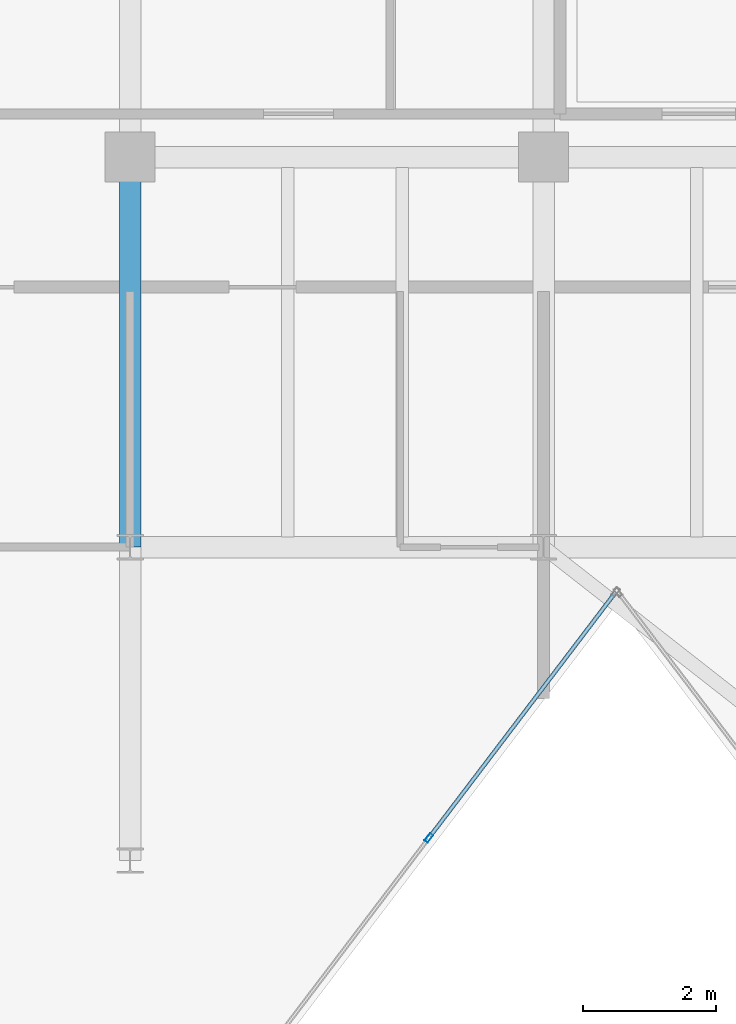
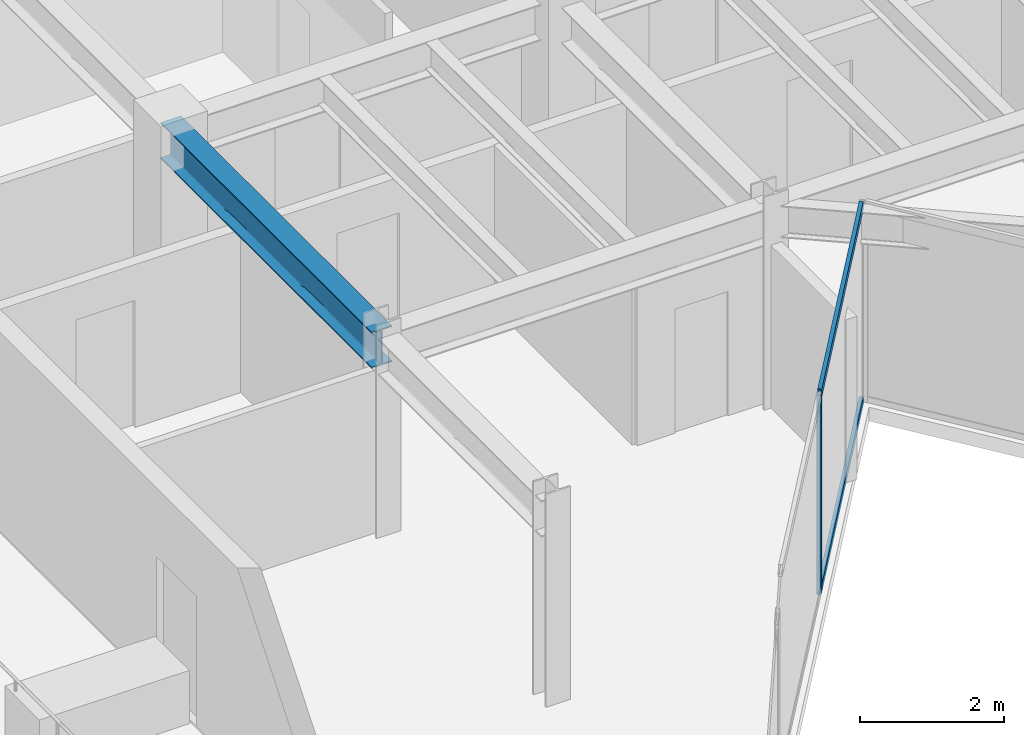
# One storey, part 3 of 16: 3 members, 1 beam, 1 element without a shape of its own.
"""IFC4 building model written with IfcOpenShell, lengths in metres."""

import ifcopenshell
import ifcopenshell.guid

model = None  # the IFC model being written
_history = None  # IfcOwnerHistory: only IFC2X3 demands one
_inside = {}  # id of a spatial element -> (the spatial element, [elements in it])
_under = {}  # id of a project, library or spatial element -> (it, [spatial elements below it])
_declared = {}  # id of a project -> (the project, [libraries it declares])
_typed = {}  # id of a type object -> (the type object, [elements of that type])
_made_of = {}  # id of a material, layer set ... -> (it, [elements and type objects made of it])


def new_model(schema):
    """Start an empty IFC model of exactly this schema.

    Asked for "IFC4X3", IfcOpenShell would pick the latest addendum, in which some entities
    have other attributes; the version numbers below select the first issue.
    IFC2X3 requires an IfcOwnerHistory on every rooted entity: one is made here for all.
    """
    global model, _history
    if schema == "IFC4X3":
        model = ifcopenshell.file(schema_version=(4, 3, 0, 0))
    else:
        model = ifcopenshell.file(schema=schema)
    _inside.clear()
    _under.clear()
    _declared.clear()
    _typed.clear()
    _made_of.clear()
    _history = None
    if model.schema == "IFC2X3":
        org = make("IfcOrganization", Name="unknown")
        user = make(
            "IfcPersonAndOrganization",
            ThePerson=make("IfcPerson", FamilyName="unknown"),
            TheOrganization=org,
        )
        app = make(
            "IfcApplication",
            ApplicationDeveloper=org,
            Version="unknown",
            ApplicationFullName="unknown",
            ApplicationIdentifier="unknown",
        )
        _history = make(
            "IfcOwnerHistory",
            OwningUser=user,
            OwningApplication=app,
            ChangeAction="ADDED",
            CreationDate=0,
        )
    return model


def make(cls, **values):
    """One entity of the class cls with the attributes given. An attribute that is None is left unset."""
    return model.create_entity(
        cls, **{name: value for name, value in values.items() if value is not None}
    )


def rooted(cls, **values):
    """An entity with a GlobalId (a new one), such as an element, a storey or a relation."""
    return make(cls, GlobalId=ifcopenshell.guid.new(), OwnerHistory=_history, **values)


def si_unit(unit_type, name, prefix=None):
    """IfcSIUnit, for example si_unit("LENGTHUNIT", "METRE", prefix="MILLI")."""
    return make("IfcSIUnit", UnitType=unit_type, Prefix=prefix, Name=name)


def assignment(units):
    """IfcUnitAssignment: the units of a project."""
    return None if units is None else make("IfcUnitAssignment", Units=units)


def point(xyz):
    """IfcCartesianPoint."""
    return None if xyz is None else make("IfcCartesianPoint", Coordinates=xyz)


def direction(xyz):
    """IfcDirection."""
    return None if xyz is None else make("IfcDirection", DirectionRatios=xyz)


def frame(location, z_axis=None, x_axis=None):
    """IfcAxis2Placement3D, a coordinate frame: its origin and axes. An axis left out is left unset."""
    return make(
        "IfcAxis2Placement3D",
        Location=point(location),
        Axis=direction(z_axis),
        RefDirection=direction(x_axis),
    )


def frame_2d(location, x_axis=None):
    """IfcAxis2Placement2D, a coordinate frame in the plane: its origin and x axis."""
    return make(
        "IfcAxis2Placement2D", Location=point(location), RefDirection=direction(x_axis)
    )


def origin():
    """The frame at (0, 0, 0) with its axes left unset."""
    return frame((0.0, 0.0, 0.0))


def origin_2d():
    """The frame at (0, 0) in the plane with its x axis left unset."""
    return frame_2d((0.0, 0.0))


def place(relative_to, where):
    """IfcLocalPlacement: puts the frame where relative to a parent placement (None: the world)."""
    return make(
        "IfcLocalPlacement", PlacementRelTo=relative_to, RelativePlacement=where
    )


def context(
    kind, dimensions, precision=None, world=None, true_north=None, identifier=None
):
    """IfcGeometricRepresentationContext, for example the 3D "Model" context."""
    return make(
        "IfcGeometricRepresentationContext",
        ContextIdentifier=identifier,
        ContextType=kind,
        CoordinateSpaceDimension=dimensions,
        Precision=precision,
        WorldCoordinateSystem=world,
        TrueNorth=true_north,
    )


def subcontext(parent, identifier, kind, view, scale=None):
    """IfcGeometricRepresentationSubContext, for example "Body" below "Model"."""
    return make(
        "IfcGeometricRepresentationSubContext",
        ContextIdentifier=identifier,
        ContextType=kind,
        ParentContext=parent,
        TargetScale=scale,
        TargetView=view,
    )


def project(units=None, contexts=None):
    """IfcProject with its units and contexts."""
    return rooted(
        "IfcProject",
        Name="project",
        RepresentationContexts=contexts,
        UnitsInContext=assignment(units),
    )


def spatial(cls, under=None, at=None, **own):
    """A site, building, storey or space (cls), placed at a placement, below another one or the project."""
    s = rooted(cls, ObjectPlacement=at, **own)
    if under is not None:
        _under.setdefault(under.id(), (under, []))[1].append(s)
    return s


def profile(cls, at=None, kind="AREA", **sizes):
    """A parametric profile (cls). Its sizes go by their IFC names, for example OverallWidth=200.0."""
    return make(cls, ProfileType=kind, Position=at, **sizes)


def hollow_rectangle(**sizes):
    """IfcRectangleHollowProfileDef."""
    return profile("IfcRectangleHollowProfileDef", **sizes)


def i_section(**sizes):
    """IfcIShapeProfileDef."""
    return profile("IfcIShapeProfileDef", **sizes)


def extrude(swept, where, along, depth):
    """IfcExtrudedAreaSolid: the profile swept, set in the frame where, extruded along a direction by depth."""
    return make(
        "IfcExtrudedAreaSolid",
        SweptArea=swept,
        Position=where,
        ExtrudedDirection=direction(along),
        Depth=depth,
    )


def shape(context_of_items, identifier, shape_type, items):
    """IfcShapeRepresentation: the items that make up one representation, for example the "Body"."""
    return make(
        "IfcShapeRepresentation",
        ContextOfItems=context_of_items,
        RepresentationIdentifier=identifier,
        RepresentationType=shape_type,
        Items=items,
    )


def material(Name=None, Category=None):
    """IfcMaterial."""
    return make("IfcMaterial", Name=Name, Category=Category)


def layer(
    of_material, thickness, ventilated=None, Name=None, Category=None, Priority=None
):
    """IfcMaterialLayer: one layer of a wall or slab, of a material (None: an air gap)."""
    return make(
        "IfcMaterialLayer",
        Material=of_material,
        LayerThickness=thickness,
        IsVentilated=ventilated,
        Name=Name,
        Category=Category,
        Priority=Priority,
    )


def layer_set(layers, Name=None):
    """IfcMaterialLayerSet."""
    return make("IfcMaterialLayerSet", MaterialLayers=layers, LayerSetName=Name)


def material_profile(
    of_material, cross_section, Name=None, Category=None, Priority=None
):
    """IfcMaterialProfile: a cross section and its material."""
    return make(
        "IfcMaterialProfile",
        Name=Name,
        Material=of_material,
        Profile=cross_section,
        Priority=Priority,
        Category=Category,
    )


def profile_set(profiles, Name=None, composite=None):
    """IfcMaterialProfileSet."""
    return make(
        "IfcMaterialProfileSet",
        Name=Name,
        MaterialProfiles=profiles,
        CompositeProfile=composite,
    )


def made_of(thing, what):
    """Note that an element or type object is made of a material, layer set ...; save() writes the relation."""
    if what is not None:
        _made_of.setdefault(what.id(), (what, []))[1].append(thing)
    return thing


def type_object(cls, material=None, **own):
    """A type object (cls), such as IfcWallType, which elements share."""
    return made_of(rooted(cls, **own), material)


def element(
    cls,
    number,
    at=None,
    inside=None,
    cuts=None,
    type_object=None,
    material=None,
    context=None,
    identifier="Body",
    shape_type=None,
    held_by="IfcProductDefinitionShape",
    body=None,
    shapes=None,
    **own,
):
    """One element of the class cls, such as IfcWall. Its Tag is "e" and its number.

    at: its placement. inside: the storey or other place that contains it. cuts: it is an
    opening in that element (IfcRelVoidsElement). A single representation is given by context,
    identifier, shape_type and body (its items); several are given by shapes. held_by: the class
    of the entity that holds the representations. save() writes the other relations.
    """
    e = rooted(cls, Tag="e%d" % number, ObjectPlacement=at, **own)
    if body is not None:
        shapes = [shape(context, identifier, shape_type, body)]
    if shapes is not None:
        e.Representation = make(held_by, Representations=shapes)
    if inside is not None:
        _inside.setdefault(inside.id(), (inside, []))[1].append(e)
    if cuts is not None:
        rooted(
            "IfcRelVoidsElement", RelatingBuildingElement=cuts, RelatedOpeningElement=e
        )
    if type_object is not None:
        _typed.setdefault(type_object.id(), (type_object, []))[1].append(e)
    return made_of(e, material)


def aggregate(whole, parts):
    """IfcRelAggregates: a whole, such as a stair, and the parts it consists of."""
    return rooted("IfcRelAggregates", RelatingObject=whole, RelatedObjects=parts)


def save(model, path):
    """Write the relations noted so far, then the file.

    IfcRelAggregates (storeys below a building ...), IfcRelContainedInSpatialStructure (elements
    in a storey), IfcRelDefinesByType, IfcRelAssociatesMaterial and IfcRelDeclares: one each for
    every whole, place, type object, material and project.
    """
    for whole, parts in _under.values():
        aggregate(whole, parts)
    for where, things in _inside.values():
        rooted(
            "IfcRelContainedInSpatialStructure",
            RelatedElements=things,
            RelatingStructure=where,
        )
    for kind, things in _typed.values():
        rooted("IfcRelDefinesByType", RelatedObjects=things, RelatingType=kind)
    for what, things in _made_of.values():
        rooted("IfcRelAssociatesMaterial", RelatedObjects=things, RelatingMaterial=what)
    for by, libraries in _declared.values():
        rooted("IfcRelDeclares", RelatingContext=by, RelatedDefinitions=libraries)
    model.write(path)


model = new_model("IFC4")

# Units and contexts
model_context = context("Model", 3, precision=1e-05, world=origin(), true_north=direction((0.0, 1.0)))
body_context = subcontext(model_context, "Body", "Model", "MODEL_VIEW")
ifc_project = project(units=[si_unit("LENGTHUNIT", "METRE"), si_unit("AREAUNIT", "SQUARE_METRE"), si_unit("VOLUMEUNIT", "CUBIC_METRE"), si_unit("PLANEANGLEUNIT", "RADIAN"), si_unit("MASSUNIT", "GRAM", prefix="KILO")], contexts=[model_context])

# Site, building, storey
site_placement = place(None, origin())
site = spatial("IfcSite", under=ifc_project, at=site_placement, CompositionType="ELEMENT")
building_placement = place(site_placement, origin())
building = spatial("IfcBuilding", under=site, at=building_placement, Name="Kravanh Interchange Tower", CompositionType="ELEMENT")
storey_placement = place(building_placement, frame((0.0, 0.0, 296.699951171875)))
storey = spatial("IfcBuildingStorey", under=building, at=storey_placement, Name="L73", CompositionType="ELEMENT", Elevation=296.699951171875)

# Curtain wall, members
ifc_material_1 = material(Name="Anodised Bronze Aluminium", Category="aluminium")
ifc_layer = layer(ifc_material_1, 0.179931640625)
ifc_layer_set = layer_set([ifc_layer], Name="Unitised Curtain Wall System CW-HTL Luxury Hotel")
curtain_wall_type = type_object("IfcCurtainWallType", Name="Unitised Curtain Wall System CW-HTL Luxury Hotel", PredefinedType="NOTDEFINED", material=ifc_layer_set)
curtain_wall_placement = place(storey_placement, origin())
curtain_wall = element("IfcCurtainWall", 1, at=curtain_wall_placement, inside=storey, type_object=curtain_wall_type, Name="L73 Unitised Curtain Wall CW-L73-05", PredefinedType="NOTDEFINED")
ifc_material_2 = material(Name="Anodised Bronze Aluminium", Category="aluminium")
ifc_material_profile_1 = material_profile(ifc_material_2, hollow_rectangle(XDim=0.06005859375, YDim=0.139892578125, WallThickness=0.00390625, at=origin_2d()), Name="ALU60X140X4")
ifc_profile_set_1 = profile_set([ifc_material_profile_1], Name="Anodised Bronze Aluminium")
member_type_1 = type_object("IfcMemberType", Name="Curtain Wall Mullion ALU60X140X4 Bronze", PredefinedType="MULLION", material=ifc_profile_set_1)
member_1_placement = place(storey_placement, frame((43.080078125, 27.140625, 0.0), z_axis=(0.0, 0.0, 1.0), x_axis=(0.796161642797, -0.605083992962, 0.0)))
member_1 = element("IfcMember", 2, at=member_1_placement, type_object=member_type_1, Name="CW-HTL mullion 2", PredefinedType="MULLION", context=body_context, shape_type="SweptSolid", body=[
    extrude(hollow_rectangle(XDim=0.06005859375, YDim=0.139892578125, WallThickness=0.00390625, at=origin_2d()), origin(), (0.0, 0.0, 1.0), 3.364990234375),
])
ifc_material_3 = material(Name="Anodised Bronze Aluminium", Category="aluminium")
ifc_material_profile_2 = material_profile(ifc_material_3, hollow_rectangle(XDim=0.06005859375, YDim=0.139892578125, WallThickness=0.00390625, at=origin_2d()), Name="ALU60X140X4")
ifc_profile_set_2 = profile_set([ifc_material_profile_2], Name="Anodised Bronze Aluminium")
member_type_2 = type_object("IfcMemberType", Name="Curtain Wall Transom ALU60X140X4 Bronze", PredefinedType="USERDEFINED", material=ifc_profile_set_2)
member_2_placement = place(storey_placement, frame((45.86376953125, 30.80322265625, 0.030029296875), z_axis=(-0.605081913085, -0.796163223502, 0.0), x_axis=(0.796163223502, -0.605081913085, 0.0)))
member_2 = element("IfcMember", 3, at=member_2_placement, type_object=member_type_2, Name="CW-HTL transom 1.1", ObjectType="TRANSOM", PredefinedType="USERDEFINED", context=body_context, shape_type="SweptSolid", body=[
    extrude(hollow_rectangle(XDim=0.06005859375, YDim=0.139892578125, WallThickness=0.00390625, at=origin_2d()), origin(), (0.0, 0.0, 1.0), 4.5703125),
])
member_3_placement = place(storey_placement, frame((45.86376953125, 30.80322265625, 3.3349609375), z_axis=(-0.605081913085, -0.796163223502, 0.0), x_axis=(0.796163223502, -0.605081913085, 0.0)))
member_3 = element("IfcMember", 4, at=member_3_placement, type_object=member_type_2, Name="CW-HTL transom 1.2", ObjectType="TRANSOM", PredefinedType="USERDEFINED", context=body_context, shape_type="SweptSolid", body=[
    extrude(hollow_rectangle(XDim=0.06005859375, YDim=0.139892578125, WallThickness=0.00390625, at=origin_2d()), origin(), (0.0, 0.0, 1.0), 4.5703125),
])
aggregate(curtain_wall, [member_1, member_2, member_3])

# Beam
ifc_material_4 = material(Name="Structural Steel S355", Category="steel")
ifc_material_profile_3 = material_profile(ifc_material_4, i_section(OverallWidth=0.323974609375, OverallDepth=0.611083984375, WebThickness=0.0126953125, FlangeThickness=0.01904296875, FilletRadius=0.02197265625, at=origin_2d()), Name="W24X104")
ifc_profile_set_3 = profile_set([ifc_material_profile_3], Name="Structural Steel S355")
beam_type = type_object("IfcBeamType", Name="Floor Beam W24X104 Structural Steel S355", PredefinedType="BEAM", material=ifc_profile_set_3)
beam_placement = place(storey_placement, frame((38.60009765625, 31.5, 3.0595703125), z_axis=(0.0, 1.0, 0.0), x_axis=(-1.0, 0.0, 0.0)))
element("IfcBeam", 5, at=beam_placement, inside=storey, type_object=beam_type, Name="L73 Primary Floor Girder 18", PredefinedType="BEAM", context=body_context, shape_type="SweptSolid", body=[
    extrude(i_section(OverallWidth=0.323974609375, OverallDepth=0.611083984375, WebThickness=0.0126953125, FlangeThickness=0.01904296875, FilletRadius=0.02197265625, at=origin_2d()), origin(), (0.0, 0.0, 1.0), 5.85009765625),
])

save(model, "model.ifc")
